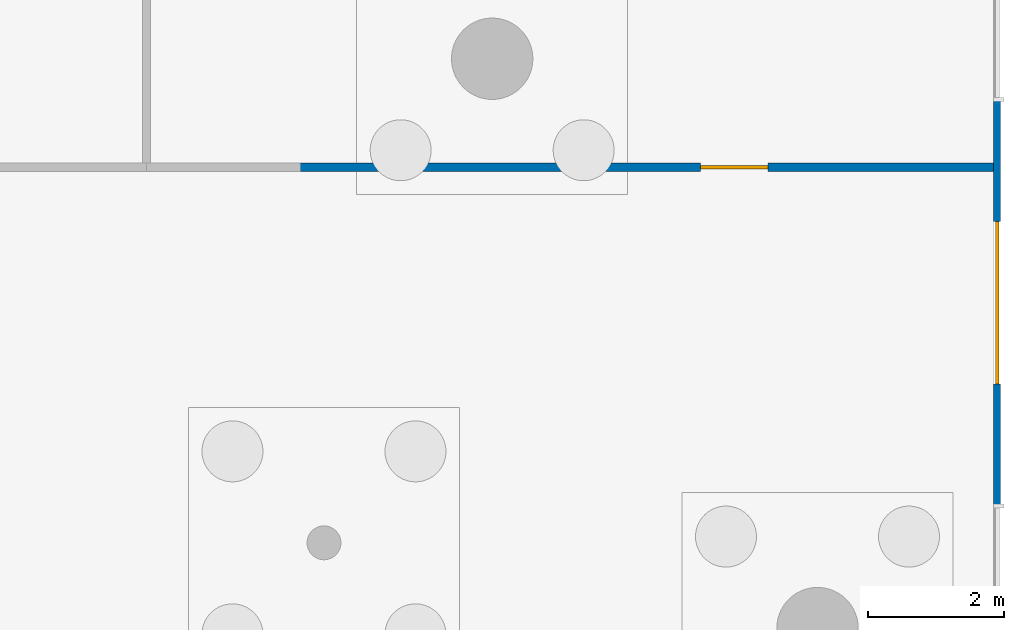
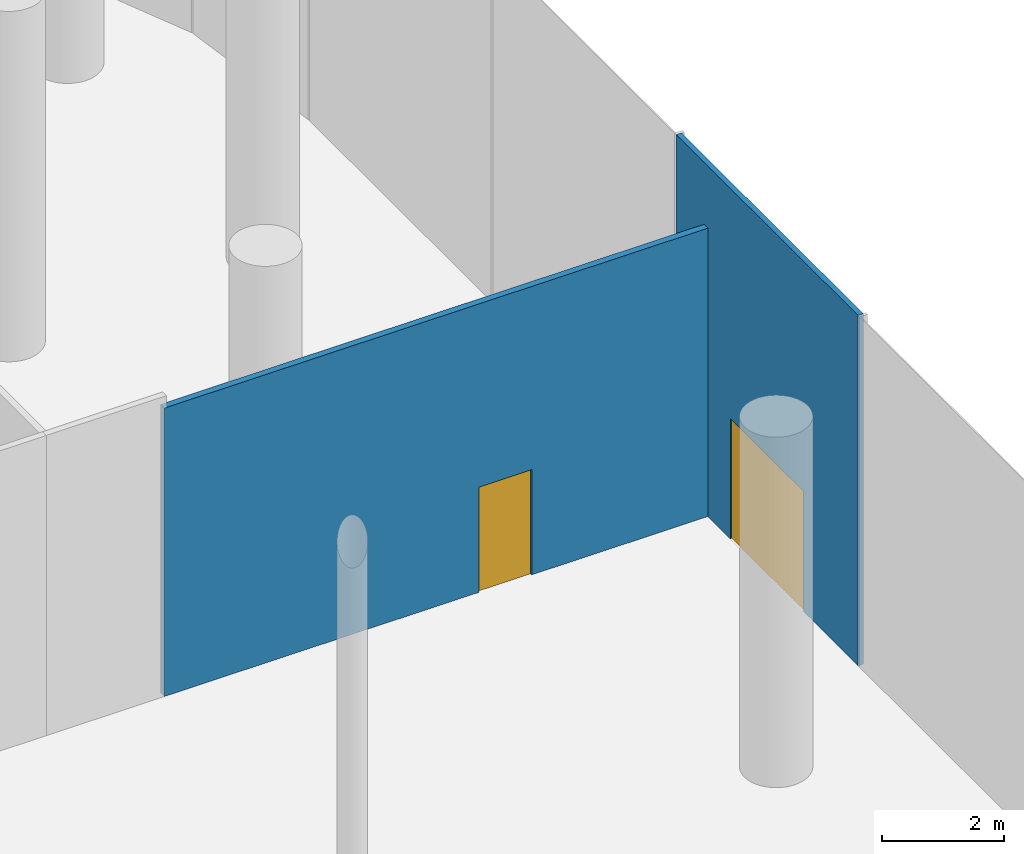
# One storey, part 33 of 41: 2 doors, 2 walls, 2 openings.
"""IFC4 building model written with IfcOpenShell, lengths in metres."""

from ifc_helpers import new_model, si_unit, direction, frame, frame_2d, origin, place, context, subcontext, project, spatial, rectangle, extrude, material, layer, layer_set, type_object, element, fill, save


model = new_model("IFC4")

# Units and contexts
model_context = context("Model", 3, precision=1e-05, world=origin(), true_north=direction((0.0, 1.0)))
body_context = subcontext(model_context, "Body", "Model", "MODEL_VIEW")
ifc_project = project(units=[si_unit("LENGTHUNIT", "METRE"), si_unit("AREAUNIT", "SQUARE_METRE"), si_unit("VOLUMEUNIT", "CUBIC_METRE"), si_unit("PLANEANGLEUNIT", "RADIAN"), si_unit("MASSUNIT", "GRAM", prefix="KILO")], contexts=[model_context])

# Site, building, storey
site_placement = place(None, origin())
site = spatial("IfcSite", under=ifc_project, at=site_placement, CompositionType="ELEMENT")
building_placement = place(site_placement, origin())
building = spatial("IfcBuilding", under=site, at=building_placement, Name="Rimbun Link Towers", CompositionType="ELEMENT")
storey_placement = place(building_placement, origin())
storey = spatial("IfcBuildingStorey", under=building, at=storey_placement, Name="L00", CompositionType="ELEMENT", Elevation=0.0)

# Wall, opening, door
ifc_material_1 = material(Name="Aluminium framed insulated infill panel", Category="aluminium")
ifc_layer_1 = layer(ifc_material_1, 0.10009765625)
ifc_layer_set_1 = layer_set([ifc_layer_1], Name="ED framed infill wall 100")
wall_type_1 = type_object("IfcWallType", Name="ED framed infill wall 100", PredefinedType="STANDARD", material=ifc_layer_set_1)
wall_1_placement = place(storey_placement, frame((62.050048828125, 11.97998046875, 0.0), z_axis=(0.0, 0.0, 1.0), x_axis=(0.0, -1.0, 0.0)))
wall_1 = element("IfcWall", 1, at=wall_1_placement, inside=storey, type_object=wall_type_1, Name="Framed door bay wall", PredefinedType="STANDARD", context=body_context, shape_type="SweptSolid", body=[
    extrude(rectangle(XDim=5.9599609375, YDim=0.10009765625, at=frame_2d((2.97998046875, 0.0))), origin(), (0.0, 0.0, 1.0), 7.0),
])
opening_1_placement = place(wall_1_placement, frame((1.780029296875, 0.0, 0.0)))
opening_1 = element("IfcOpeningElement", 2, at=opening_1_placement, cuts=wall_1, Name="Opening ED03", PredefinedType="OPENING", context=body_context, shape_type="SweptSolid", body=[
    extrude(rectangle(XDim=2.39990234375, YDim=2.39990234375, at=frame_2d((1.199951171875, 1.199951171875))), frame((0.0, 0.06005859375, 0.0), z_axis=(0.0, -1.0, 0.0), x_axis=(1.0, 0.0, 0.0)), (0.0, 0.0, 1.0), 0.1201171875),
])
ifc_material_2 = material(Name="Aluminium framed glazed door, low-iron glass", Category="aluminium")
door_type_1 = type_object("IfcDoorType", Name="ED entrance door double leaf 2400X2400", OperationType="DOUBLE_DOOR_SINGLE_SWING", PredefinedType="DOOR", material=ifc_material_2)
door_1_placement = place(opening_1_placement, origin())
door_1 = element("IfcDoor", 3, at=door_1_placement, inside=storey, type_object=door_type_1, Name="Entrance door", OperationType="SINGLE_SWING_LEFT", OverallHeight=2.39990234375, OverallWidth=2.39990234375, PredefinedType="DOOR", context=body_context, shape_type="SweptSolid", body=[
    extrude(rectangle(XDim=2.39990234375, YDim=2.39990234375, at=frame_2d((1.199951171875, 1.199951171875))), frame((0.0, 0.02490234375, 0.0), z_axis=(0.0, -1.0, 0.0), x_axis=(1.0, 0.0, 0.0)), (0.0, 0.0, 1.0), 0.050048828125),
])
fill(opening_1, door_1)

ifc_material_3 = material(Name="Gypsum board on steel studs", Category="steel")
ifc_layer_2 = layer(ifc_material_3, 0.125)
ifc_layer_set_2 = layer_set([ifc_layer_2], Name="Partition 125 board on studs")
wall_type_2 = type_object("IfcWallType", Name="Partition 125 board on studs", PredefinedType="PARTITIONING", material=ifc_layer_set_2)
wall_2_placement = place(storey_placement, frame((62.080078125, 11.0, 0.0), z_axis=(0.0, 0.0, 1.0), x_axis=(-1.0, 0.0, 0.0)))
wall_2 = element("IfcWall", 4, at=wall_2_placement, inside=storey, type_object=wall_type_2, Name="PD/PW/L00/073", PredefinedType="PARTITIONING", context=body_context, shape_type="SweptSolid", body=[
    extrude(rectangle(XDim=10.35009765625, YDim=0.125, at=frame_2d((5.175048828125, 0.0))), origin(), (0.0, 0.0, 1.0), 5.761962890625),
])
opening_2_placement = place(wall_2_placement, frame((3.407958984375, 0.0, 0.0)))
opening_2 = element("IfcOpeningElement", 5, at=opening_2_placement, cuts=wall_2, Name="Opening PD D00.26", PredefinedType="OPENING", context=body_context, shape_type="SweptSolid", body=[
    extrude(rectangle(XDim=1.0, YDim=2.10009765625, at=frame_2d((0.5, 1.050048828125))), frame((0.0, 0.072509765625, 0.0), z_axis=(0.0, -1.0, 0.0), x_axis=(1.0, 0.0, 0.0)), (0.0, 0.0, 1.0), 0.14501953125),
])
ifc_material_4 = material(Name="Timber door set", Category="wood")
door_type_2 = type_object("IfcDoorType", Name="Door single leaf 1000 x 2100", OperationType="NOTDEFINED", PredefinedType="DOOR", material=ifc_material_4)
door_2_placement = place(opening_2_placement, origin())
door_2 = element("IfcDoor", 6, at=door_2_placement, inside=storey, type_object=door_type_2, Name="PD/DR/L00/026", OperationType="SINGLE_SWING_LEFT", OverallHeight=2.10009765625, OverallWidth=1.0, PredefinedType="DOOR", context=body_context, shape_type="SweptSolid", body=[
    extrude(rectangle(XDim=1.0, YDim=2.10009765625, at=frame_2d((0.5, 1.050048828125))), frame((0.0, 0.02490234375, 0.0), z_axis=(0.0, -1.0, 0.0), x_axis=(1.0, 0.0, 0.0)), (0.0, 0.0, 1.0), 0.050048828125),
])
fill(opening_2, door_2)

save(model, "model.ifc")
